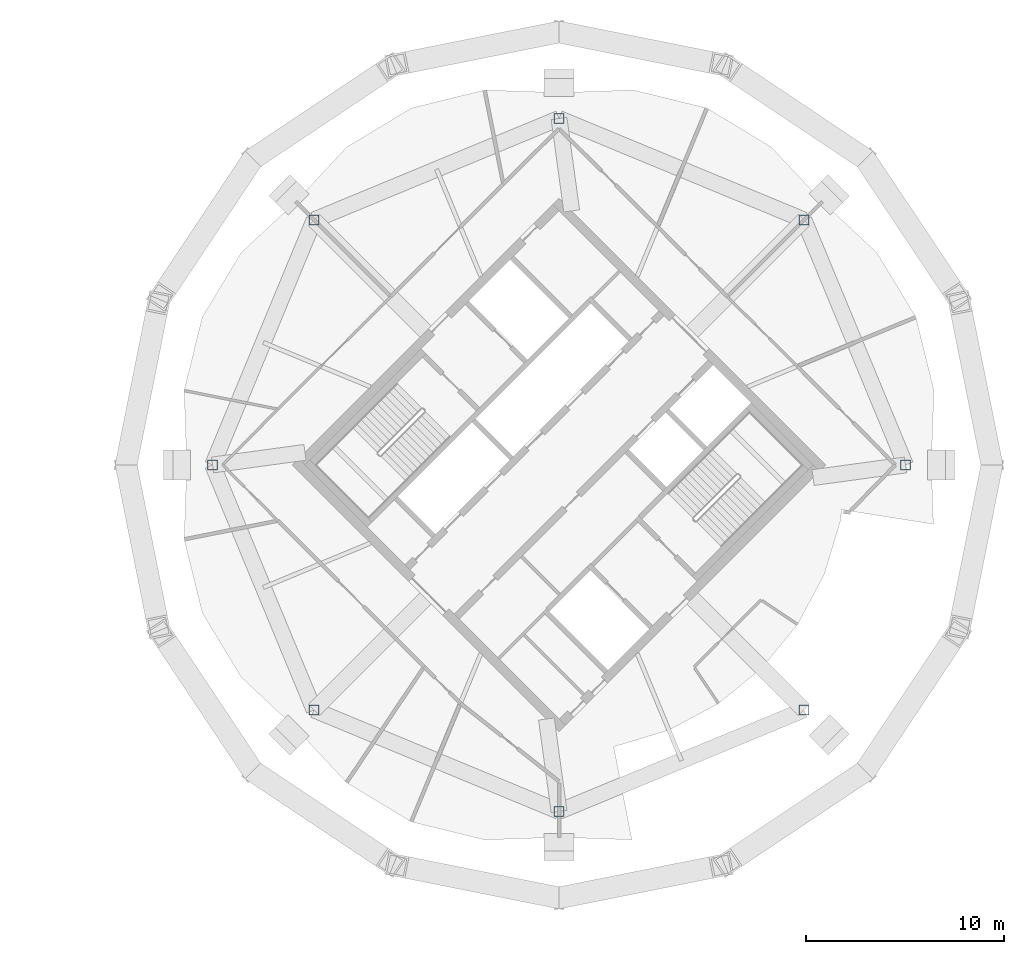
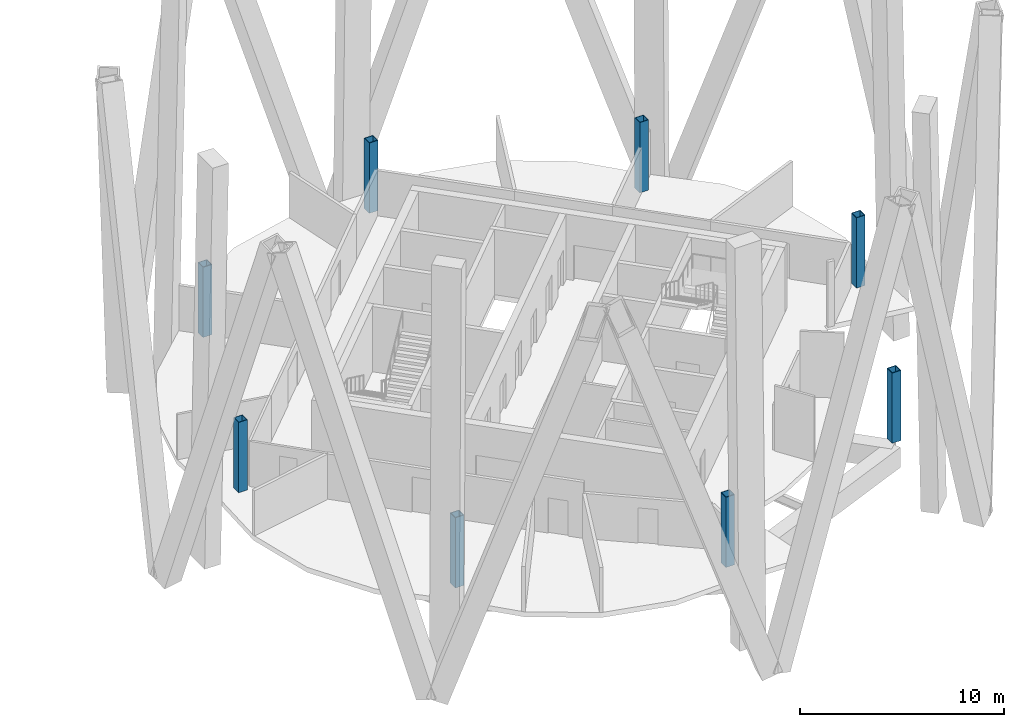
# One storey, part 2 of 11: 8 columns.
"""IFC4 building model written with IfcOpenShell, lengths in metres."""

import ifcopenshell
import ifcopenshell.guid

model = None  # the IFC model being written
_history = None  # IfcOwnerHistory: only IFC2X3 demands one
_inside = {}  # id of a spatial element -> (the spatial element, [elements in it])
_under = {}  # id of a project, library or spatial element -> (it, [spatial elements below it])
_declared = {}  # id of a project -> (the project, [libraries it declares])
_typed = {}  # id of a type object -> (the type object, [elements of that type])
_made_of = {}  # id of a material, layer set ... -> (it, [elements and type objects made of it])


def new_model(schema):
    """Start an empty IFC model of exactly this schema.

    Asked for "IFC4X3", IfcOpenShell would pick the latest addendum, in which some entities
    have other attributes; the version numbers below select the first issue.
    IFC2X3 requires an IfcOwnerHistory on every rooted entity: one is made here for all.
    """
    global model, _history
    if schema == "IFC4X3":
        model = ifcopenshell.file(schema_version=(4, 3, 0, 0))
    else:
        model = ifcopenshell.file(schema=schema)
    _inside.clear()
    _under.clear()
    _declared.clear()
    _typed.clear()
    _made_of.clear()
    _history = None
    if model.schema == "IFC2X3":
        org = make("IfcOrganization", Name="unknown")
        user = make(
            "IfcPersonAndOrganization",
            ThePerson=make("IfcPerson", FamilyName="unknown"),
            TheOrganization=org,
        )
        app = make(
            "IfcApplication",
            ApplicationDeveloper=org,
            Version="unknown",
            ApplicationFullName="unknown",
            ApplicationIdentifier="unknown",
        )
        _history = make(
            "IfcOwnerHistory",
            OwningUser=user,
            OwningApplication=app,
            ChangeAction="ADDED",
            CreationDate=0,
        )
    return model


def make(cls, **values):
    """One entity of the class cls with the attributes given. An attribute that is None is left unset."""
    return model.create_entity(
        cls, **{name: value for name, value in values.items() if value is not None}
    )


def rooted(cls, **values):
    """An entity with a GlobalId (a new one), such as an element, a storey or a relation."""
    return make(cls, GlobalId=ifcopenshell.guid.new(), OwnerHistory=_history, **values)


def si_unit(unit_type, name, prefix=None):
    """IfcSIUnit, for example si_unit("LENGTHUNIT", "METRE", prefix="MILLI")."""
    return make("IfcSIUnit", UnitType=unit_type, Prefix=prefix, Name=name)


def assignment(units):
    """IfcUnitAssignment: the units of a project."""
    return None if units is None else make("IfcUnitAssignment", Units=units)


def point(xyz):
    """IfcCartesianPoint."""
    return None if xyz is None else make("IfcCartesianPoint", Coordinates=xyz)


def direction(xyz):
    """IfcDirection."""
    return None if xyz is None else make("IfcDirection", DirectionRatios=xyz)


def frame(location, z_axis=None, x_axis=None):
    """IfcAxis2Placement3D, a coordinate frame: its origin and axes. An axis left out is left unset."""
    return make(
        "IfcAxis2Placement3D",
        Location=point(location),
        Axis=direction(z_axis),
        RefDirection=direction(x_axis),
    )


def frame_2d(location, x_axis=None):
    """IfcAxis2Placement2D, a coordinate frame in the plane: its origin and x axis."""
    return make(
        "IfcAxis2Placement2D", Location=point(location), RefDirection=direction(x_axis)
    )


def origin():
    """The frame at (0, 0, 0) with its axes left unset."""
    return frame((0.0, 0.0, 0.0))


def origin_2d():
    """The frame at (0, 0) in the plane with its x axis left unset."""
    return frame_2d((0.0, 0.0))


def place(relative_to, where):
    """IfcLocalPlacement: puts the frame where relative to a parent placement (None: the world)."""
    return make(
        "IfcLocalPlacement", PlacementRelTo=relative_to, RelativePlacement=where
    )


def context(
    kind, dimensions, precision=None, world=None, true_north=None, identifier=None
):
    """IfcGeometricRepresentationContext, for example the 3D "Model" context."""
    return make(
        "IfcGeometricRepresentationContext",
        ContextIdentifier=identifier,
        ContextType=kind,
        CoordinateSpaceDimension=dimensions,
        Precision=precision,
        WorldCoordinateSystem=world,
        TrueNorth=true_north,
    )


def subcontext(parent, identifier, kind, view, scale=None):
    """IfcGeometricRepresentationSubContext, for example "Body" below "Model"."""
    return make(
        "IfcGeometricRepresentationSubContext",
        ContextIdentifier=identifier,
        ContextType=kind,
        ParentContext=parent,
        TargetScale=scale,
        TargetView=view,
    )


def project(units=None, contexts=None):
    """IfcProject with its units and contexts."""
    return rooted(
        "IfcProject",
        Name="project",
        RepresentationContexts=contexts,
        UnitsInContext=assignment(units),
    )


def spatial(cls, under=None, at=None, **own):
    """A site, building, storey or space (cls), placed at a placement, below another one or the project."""
    s = rooted(cls, ObjectPlacement=at, **own)
    if under is not None:
        _under.setdefault(under.id(), (under, []))[1].append(s)
    return s


def profile(cls, at=None, kind="AREA", **sizes):
    """A parametric profile (cls). Its sizes go by their IFC names, for example OverallWidth=200.0."""
    return make(cls, ProfileType=kind, Position=at, **sizes)


def hollow_rectangle(**sizes):
    """IfcRectangleHollowProfileDef."""
    return profile("IfcRectangleHollowProfileDef", **sizes)


def extrude(swept, where, along, depth):
    """IfcExtrudedAreaSolid: the profile swept, set in the frame where, extruded along a direction by depth."""
    return make(
        "IfcExtrudedAreaSolid",
        SweptArea=swept,
        Position=where,
        ExtrudedDirection=direction(along),
        Depth=depth,
    )


def shape(context_of_items, identifier, shape_type, items):
    """IfcShapeRepresentation: the items that make up one representation, for example the "Body"."""
    return make(
        "IfcShapeRepresentation",
        ContextOfItems=context_of_items,
        RepresentationIdentifier=identifier,
        RepresentationType=shape_type,
        Items=items,
    )


def material(Name=None, Category=None):
    """IfcMaterial."""
    return make("IfcMaterial", Name=Name, Category=Category)


def material_profile(
    of_material, cross_section, Name=None, Category=None, Priority=None
):
    """IfcMaterialProfile: a cross section and its material."""
    return make(
        "IfcMaterialProfile",
        Name=Name,
        Material=of_material,
        Profile=cross_section,
        Priority=Priority,
        Category=Category,
    )


def profile_set(profiles, Name=None, composite=None):
    """IfcMaterialProfileSet."""
    return make(
        "IfcMaterialProfileSet",
        Name=Name,
        MaterialProfiles=profiles,
        CompositeProfile=composite,
    )


def made_of(thing, what):
    """Note that an element or type object is made of a material, layer set ...; save() writes the relation."""
    if what is not None:
        _made_of.setdefault(what.id(), (what, []))[1].append(thing)
    return thing


def type_object(cls, material=None, **own):
    """A type object (cls), such as IfcWallType, which elements share."""
    return made_of(rooted(cls, **own), material)


def element(
    cls,
    number,
    at=None,
    inside=None,
    cuts=None,
    type_object=None,
    material=None,
    context=None,
    identifier="Body",
    shape_type=None,
    held_by="IfcProductDefinitionShape",
    body=None,
    shapes=None,
    **own,
):
    """One element of the class cls, such as IfcWall. Its Tag is "e" and its number.

    at: its placement. inside: the storey or other place that contains it. cuts: it is an
    opening in that element (IfcRelVoidsElement). A single representation is given by context,
    identifier, shape_type and body (its items); several are given by shapes. held_by: the class
    of the entity that holds the representations. save() writes the other relations.
    """
    e = rooted(cls, Tag="e%d" % number, ObjectPlacement=at, **own)
    if body is not None:
        shapes = [shape(context, identifier, shape_type, body)]
    if shapes is not None:
        e.Representation = make(held_by, Representations=shapes)
    if inside is not None:
        _inside.setdefault(inside.id(), (inside, []))[1].append(e)
    if cuts is not None:
        rooted(
            "IfcRelVoidsElement", RelatingBuildingElement=cuts, RelatedOpeningElement=e
        )
    if type_object is not None:
        _typed.setdefault(type_object.id(), (type_object, []))[1].append(e)
    return made_of(e, material)


def aggregate(whole, parts):
    """IfcRelAggregates: a whole, such as a stair, and the parts it consists of."""
    return rooted("IfcRelAggregates", RelatingObject=whole, RelatedObjects=parts)


def save(model, path):
    """Write the relations noted so far, then the file.

    IfcRelAggregates (storeys below a building ...), IfcRelContainedInSpatialStructure (elements
    in a storey), IfcRelDefinesByType, IfcRelAssociatesMaterial and IfcRelDeclares: one each for
    every whole, place, type object, material and project.
    """
    for whole, parts in _under.values():
        aggregate(whole, parts)
    for where, things in _inside.values():
        rooted(
            "IfcRelContainedInSpatialStructure",
            RelatedElements=things,
            RelatingStructure=where,
        )
    for kind, things in _typed.values():
        rooted("IfcRelDefinesByType", RelatedObjects=things, RelatingType=kind)
    for what, things in _made_of.values():
        rooted("IfcRelAssociatesMaterial", RelatedObjects=things, RelatingMaterial=what)
    for by, libraries in _declared.values():
        rooted("IfcRelDeclares", RelatingContext=by, RelatedDefinitions=libraries)
    model.write(path)


model = new_model("IFC4")

# Units and contexts
model_context = context("Model", 3, precision=1e-05, world=origin(), true_north=direction((0.0, 1.0)))
body_context = subcontext(model_context, "Body", "Model", "MODEL_VIEW")
ifc_project = project(units=[si_unit("LENGTHUNIT", "METRE"), si_unit("AREAUNIT", "SQUARE_METRE"), si_unit("VOLUMEUNIT", "CUBIC_METRE"), si_unit("PLANEANGLEUNIT", "RADIAN"), si_unit("MASSUNIT", "GRAM", prefix="KILO")], contexts=[model_context])

# Site, building, storey
site_placement = place(None, origin())
site = spatial("IfcSite", under=ifc_project, at=site_placement, CompositionType="ELEMENT")
building_placement = place(site_placement, origin())
building = spatial("IfcBuilding", under=site, at=building_placement, Name="Ogive Gate Towers", CompositionType="ELEMENT")
storey_placement = place(building_placement, frame((0.0, 0.0, 273.0)))
storey = spatial("IfcBuildingStorey", under=building, at=storey_placement, Name="L64", CompositionType="ELEMENT", Elevation=273.0)

# Columns
ifc_material = material(Name="Steel SM460", Category="steel")
ifc_material_profile = material_profile(ifc_material, hollow_rectangle(XDim=0.5, YDim=0.5, WallThickness=0.030029296875, at=origin_2d()), Name="BX 500x500x30")
ifc_profile_set = profile_set([ifc_material_profile], Name="Steel SM460")
column_type = type_object("IfcColumnType", Name="Perimeter post BX 500x500x30", PredefinedType="COLUMN", material=ifc_profile_set)
for number, where, z_axis, x_axis, name in (
    (1, (53.455078125, 0.0, 0.0), (0.0, 0.0, 1.0), (1.0, 0.0, 0.0), "T2/L64/SCL001"),
    (2, (48.342529296875, 12.342529296875, 0.0), (0.0, 0.0, 1.0), (1.0, 0.0, 0.0), "T2/L64/SCL002"),
    (3, (36.0, 17.455078125, 0.0), (0.0, 0.0, 1.0), (1.0, 0.0, 0.0), "T2/L64/SCL003"),
    (4, (23.657470703125, 12.342529296875, 0.0), (0.0, 0.0, 1.0), (1.0, 0.0, 0.0), "T2/L64/SCL004"),
    (5, (18.544921875, 0.0, 0.0), (0.0, 0.0, 1.0), (1.0, 0.0, 0.0), "T2/L64/SCL005"),
    (6, (23.657470703125, -12.342529296875, 0.0), (0.0, 0.0, 1.0), (1.0, 0.0, 0.0), "T2/L64/SCL006"),
    (7, (36.0, -17.455078125, 0.0), (0.0, 0.0, 1.0), (1.0, 0.0, 0.0), "T2/L64/SCL007"),
    (8, (48.342529296875, -12.342529296875, 0.0), (0.0, 0.0, 1.0), (1.0, 0.0, 0.0), "T2/L64/SCL008"),
):
    element("IfcColumn", number, at=place(storey_placement, frame(where, z_axis=z_axis, x_axis=x_axis)), inside=storey, type_object=column_type, Name=name, PredefinedType="COLUMN", context=body_context, shape_type="SweptSolid", body=[
        extrude(hollow_rectangle(XDim=0.5, YDim=0.5, WallThickness=0.030029296875, at=origin_2d()), origin(), (0.0, 0.0, 1.0), 4.199951171875),
    ])

save(model, "model.ifc")
